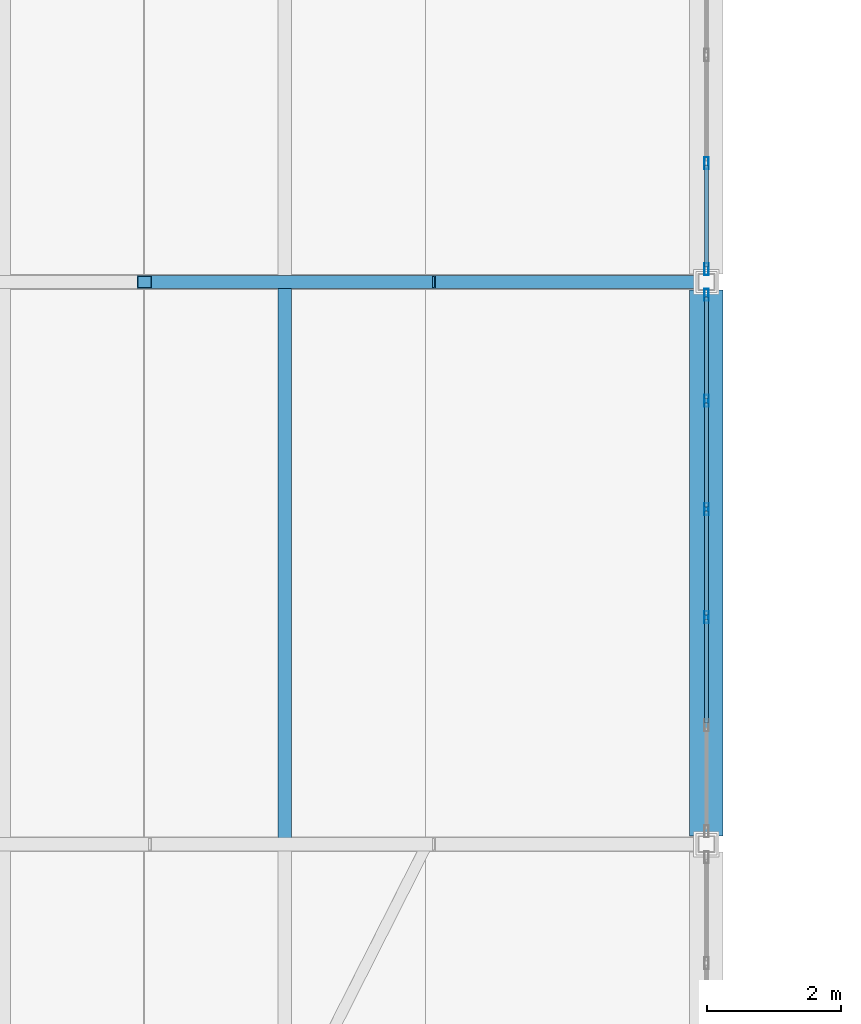
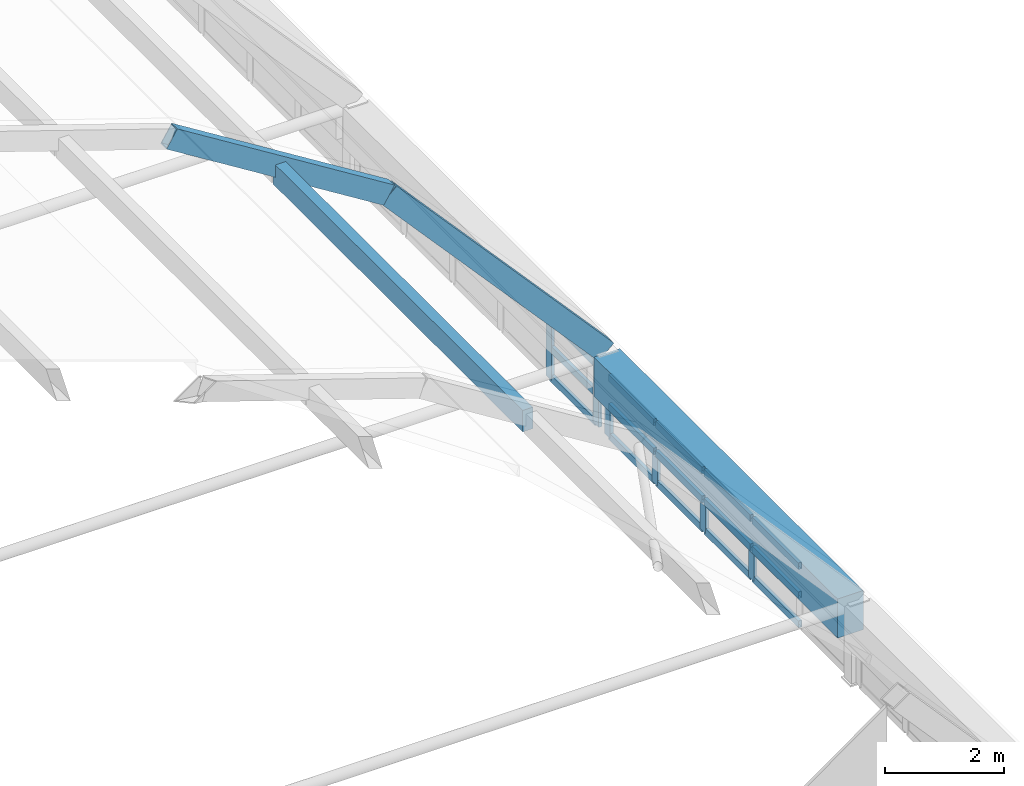
# One storey, part 22 of 114: 22 members, 3 beams, 2 elements without a shape of their own.
"""IFC4 building model written with IfcOpenShell, lengths in metres."""

import ifcopenshell
import ifcopenshell.guid

model = None  # the IFC model being written
_history = None  # IfcOwnerHistory: only IFC2X3 demands one
_inside = {}  # id of a spatial element -> (the spatial element, [elements in it])
_under = {}  # id of a project, library or spatial element -> (it, [spatial elements below it])
_declared = {}  # id of a project -> (the project, [libraries it declares])
_typed = {}  # id of a type object -> (the type object, [elements of that type])
_made_of = {}  # id of a material, layer set ... -> (it, [elements and type objects made of it])


def new_model(schema):
    """Start an empty IFC model of exactly this schema.

    Asked for "IFC4X3", IfcOpenShell would pick the latest addendum, in which some entities
    have other attributes; the version numbers below select the first issue.
    IFC2X3 requires an IfcOwnerHistory on every rooted entity: one is made here for all.
    """
    global model, _history
    if schema == "IFC4X3":
        model = ifcopenshell.file(schema_version=(4, 3, 0, 0))
    else:
        model = ifcopenshell.file(schema=schema)
    _inside.clear()
    _under.clear()
    _declared.clear()
    _typed.clear()
    _made_of.clear()
    _history = None
    if model.schema == "IFC2X3":
        org = make("IfcOrganization", Name="unknown")
        user = make(
            "IfcPersonAndOrganization",
            ThePerson=make("IfcPerson", FamilyName="unknown"),
            TheOrganization=org,
        )
        app = make(
            "IfcApplication",
            ApplicationDeveloper=org,
            Version="unknown",
            ApplicationFullName="unknown",
            ApplicationIdentifier="unknown",
        )
        _history = make(
            "IfcOwnerHistory",
            OwningUser=user,
            OwningApplication=app,
            ChangeAction="ADDED",
            CreationDate=0,
        )
    return model


def make(cls, **values):
    """One entity of the class cls with the attributes given. An attribute that is None is left unset."""
    return model.create_entity(
        cls, **{name: value for name, value in values.items() if value is not None}
    )


def rooted(cls, **values):
    """An entity with a GlobalId (a new one), such as an element, a storey or a relation."""
    return make(cls, GlobalId=ifcopenshell.guid.new(), OwnerHistory=_history, **values)


def si_unit(unit_type, name, prefix=None):
    """IfcSIUnit, for example si_unit("LENGTHUNIT", "METRE", prefix="MILLI")."""
    return make("IfcSIUnit", UnitType=unit_type, Prefix=prefix, Name=name)


def assignment(units):
    """IfcUnitAssignment: the units of a project."""
    return None if units is None else make("IfcUnitAssignment", Units=units)


def point(xyz):
    """IfcCartesianPoint."""
    return None if xyz is None else make("IfcCartesianPoint", Coordinates=xyz)


def direction(xyz):
    """IfcDirection."""
    return None if xyz is None else make("IfcDirection", DirectionRatios=xyz)


def frame(location, z_axis=None, x_axis=None):
    """IfcAxis2Placement3D, a coordinate frame: its origin and axes. An axis left out is left unset."""
    return make(
        "IfcAxis2Placement3D",
        Location=point(location),
        Axis=direction(z_axis),
        RefDirection=direction(x_axis),
    )


def frame_2d(location, x_axis=None):
    """IfcAxis2Placement2D, a coordinate frame in the plane: its origin and x axis."""
    return make(
        "IfcAxis2Placement2D", Location=point(location), RefDirection=direction(x_axis)
    )


def origin():
    """The frame at (0, 0, 0) with its axes left unset."""
    return frame((0.0, 0.0, 0.0))


def origin_2d():
    """The frame at (0, 0) in the plane with its x axis left unset."""
    return frame_2d((0.0, 0.0))


def place(relative_to, where):
    """IfcLocalPlacement: puts the frame where relative to a parent placement (None: the world)."""
    return make(
        "IfcLocalPlacement", PlacementRelTo=relative_to, RelativePlacement=where
    )


def context(
    kind, dimensions, precision=None, world=None, true_north=None, identifier=None
):
    """IfcGeometricRepresentationContext, for example the 3D "Model" context."""
    return make(
        "IfcGeometricRepresentationContext",
        ContextIdentifier=identifier,
        ContextType=kind,
        CoordinateSpaceDimension=dimensions,
        Precision=precision,
        WorldCoordinateSystem=world,
        TrueNorth=true_north,
    )


def subcontext(parent, identifier, kind, view, scale=None):
    """IfcGeometricRepresentationSubContext, for example "Body" below "Model"."""
    return make(
        "IfcGeometricRepresentationSubContext",
        ContextIdentifier=identifier,
        ContextType=kind,
        ParentContext=parent,
        TargetScale=scale,
        TargetView=view,
    )


def project(units=None, contexts=None):
    """IfcProject with its units and contexts."""
    return rooted(
        "IfcProject",
        Name="project",
        RepresentationContexts=contexts,
        UnitsInContext=assignment(units),
    )


def spatial(cls, under=None, at=None, **own):
    """A site, building, storey or space (cls), placed at a placement, below another one or the project."""
    s = rooted(cls, ObjectPlacement=at, **own)
    if under is not None:
        _under.setdefault(under.id(), (under, []))[1].append(s)
    return s


def profile(cls, at=None, kind="AREA", **sizes):
    """A parametric profile (cls). Its sizes go by their IFC names, for example OverallWidth=200.0."""
    return make(cls, ProfileType=kind, Position=at, **sizes)


def rectangle(**sizes):
    """IfcRectangleProfileDef."""
    return profile("IfcRectangleProfileDef", **sizes)


def hollow_rectangle(**sizes):
    """IfcRectangleHollowProfileDef."""
    return profile("IfcRectangleHollowProfileDef", **sizes)


def extrude(swept, where, along, depth):
    """IfcExtrudedAreaSolid: the profile swept, set in the frame where, extruded along a direction by depth."""
    return make(
        "IfcExtrudedAreaSolid",
        SweptArea=swept,
        Position=where,
        ExtrudedDirection=direction(along),
        Depth=depth,
    )


def shape(context_of_items, identifier, shape_type, items):
    """IfcShapeRepresentation: the items that make up one representation, for example the "Body"."""
    return make(
        "IfcShapeRepresentation",
        ContextOfItems=context_of_items,
        RepresentationIdentifier=identifier,
        RepresentationType=shape_type,
        Items=items,
    )


def material(Name=None, Category=None):
    """IfcMaterial."""
    return make("IfcMaterial", Name=Name, Category=Category)


def layer(
    of_material, thickness, ventilated=None, Name=None, Category=None, Priority=None
):
    """IfcMaterialLayer: one layer of a wall or slab, of a material (None: an air gap)."""
    return make(
        "IfcMaterialLayer",
        Material=of_material,
        LayerThickness=thickness,
        IsVentilated=ventilated,
        Name=Name,
        Category=Category,
        Priority=Priority,
    )


def layer_set(layers, Name=None):
    """IfcMaterialLayerSet."""
    return make("IfcMaterialLayerSet", MaterialLayers=layers, LayerSetName=Name)


def material_profile(
    of_material, cross_section, Name=None, Category=None, Priority=None
):
    """IfcMaterialProfile: a cross section and its material."""
    return make(
        "IfcMaterialProfile",
        Name=Name,
        Material=of_material,
        Profile=cross_section,
        Priority=Priority,
        Category=Category,
    )


def profile_set(profiles, Name=None, composite=None):
    """IfcMaterialProfileSet."""
    return make(
        "IfcMaterialProfileSet",
        Name=Name,
        MaterialProfiles=profiles,
        CompositeProfile=composite,
    )


def made_of(thing, what):
    """Note that an element or type object is made of a material, layer set ...; save() writes the relation."""
    if what is not None:
        _made_of.setdefault(what.id(), (what, []))[1].append(thing)
    return thing


def type_object(cls, material=None, **own):
    """A type object (cls), such as IfcWallType, which elements share."""
    return made_of(rooted(cls, **own), material)


def element(
    cls,
    number,
    at=None,
    inside=None,
    cuts=None,
    type_object=None,
    material=None,
    context=None,
    identifier="Body",
    shape_type=None,
    held_by="IfcProductDefinitionShape",
    body=None,
    shapes=None,
    **own,
):
    """One element of the class cls, such as IfcWall. Its Tag is "e" and its number.

    at: its placement. inside: the storey or other place that contains it. cuts: it is an
    opening in that element (IfcRelVoidsElement). A single representation is given by context,
    identifier, shape_type and body (its items); several are given by shapes. held_by: the class
    of the entity that holds the representations. save() writes the other relations.
    """
    e = rooted(cls, Tag="e%d" % number, ObjectPlacement=at, **own)
    if body is not None:
        shapes = [shape(context, identifier, shape_type, body)]
    if shapes is not None:
        e.Representation = make(held_by, Representations=shapes)
    if inside is not None:
        _inside.setdefault(inside.id(), (inside, []))[1].append(e)
    if cuts is not None:
        rooted(
            "IfcRelVoidsElement", RelatingBuildingElement=cuts, RelatedOpeningElement=e
        )
    if type_object is not None:
        _typed.setdefault(type_object.id(), (type_object, []))[1].append(e)
    return made_of(e, material)


def aggregate(whole, parts):
    """IfcRelAggregates: a whole, such as a stair, and the parts it consists of."""
    return rooted("IfcRelAggregates", RelatingObject=whole, RelatedObjects=parts)


def save(model, path):
    """Write the relations noted so far, then the file.

    IfcRelAggregates (storeys below a building ...), IfcRelContainedInSpatialStructure (elements
    in a storey), IfcRelDefinesByType, IfcRelAssociatesMaterial and IfcRelDeclares: one each for
    every whole, place, type object, material and project.
    """
    for whole, parts in _under.values():
        aggregate(whole, parts)
    for where, things in _inside.values():
        rooted(
            "IfcRelContainedInSpatialStructure",
            RelatedElements=things,
            RelatingStructure=where,
        )
    for kind, things in _typed.values():
        rooted("IfcRelDefinesByType", RelatedObjects=things, RelatingType=kind)
    for what, things in _made_of.values():
        rooted("IfcRelAssociatesMaterial", RelatedObjects=things, RelatingMaterial=what)
    for by, libraries in _declared.values():
        rooted("IfcRelDeclares", RelatingContext=by, RelatedDefinitions=libraries)
    model.write(path)


model = new_model("IFC4")

# Units and contexts
model_context = context("Model", 3, precision=1e-05, world=origin(), true_north=direction((0.0, 1.0)))
body_context = subcontext(model_context, "Body", "Model", "MODEL_VIEW")
ifc_project = project(units=[si_unit("LENGTHUNIT", "METRE"), si_unit("AREAUNIT", "SQUARE_METRE"), si_unit("VOLUMEUNIT", "CUBIC_METRE"), si_unit("PLANEANGLEUNIT", "RADIAN"), si_unit("MASSUNIT", "GRAM", prefix="KILO")], contexts=[model_context])

# Site, building, storey
site_placement = place(None, origin())
site = spatial("IfcSite", under=ifc_project, at=site_placement, CompositionType="ELEMENT")
building_placement = place(site_placement, origin())
building = spatial("IfcBuilding", under=site, at=building_placement, Name="Xazarin Passage Department Store", CompositionType="ELEMENT")
storey_placement = place(building_placement, frame((0.0, 0.0, 14.39990234375)))
storey = spatial("IfcBuildingStorey", under=building, at=storey_placement, Name="L03", CompositionType="ELEMENT", Elevation=14.39990234375)

# Curtain wall, members
ifc_material_1 = material(Name="Bronze anodised aluminium", Category="aluminium")
ifc_layer = layer(ifc_material_1, 0.159912109375)
ifc_layer_set = layer_set([ifc_layer], Name="Bronze anodised aluminium")
curtain_wall_type = type_object("IfcCurtainWallType", Name="ARC-CW-ARC1", PredefinedType="NOTDEFINED", material=ifc_layer_set)
curtain_wall_1_placement = place(storey_placement, origin())
curtain_wall_1 = element("IfcCurtainWall", 1, at=curtain_wall_1_placement, inside=storey, type_object=curtain_wall_type, Name="L03 V2S Galleria Clerestory Curtain Wall 2E", PredefinedType="NOTDEFINED")
ifc_material_profile_1 = material_profile(ifc_material_1, hollow_rectangle(XDim=0.06494140625, YDim=0.179931640625, WallThickness=0.00390625, at=origin_2d()), Name="ALU 65x180")
ifc_profile_set_1 = profile_set([ifc_material_profile_1], Name="Bronze anodised aluminium")
member_type_1 = type_object("IfcMemberType", Name="ARC-CWM-65x180", PredefinedType="MULLION", material=ifc_profile_set_1)
member_1_placement = place(storey_placement, frame((101.60009765625, 11.7919921875, 0.0), z_axis=(0.0, 0.0, 1.0), x_axis=(-1.0, 0.0, 0.0)))
member_1 = element("IfcMember", 2, at=member_1_placement, type_object=member_type_1, Name="CW3 mullion 3", PredefinedType="MULLION", context=body_context, shape_type="SweptSolid", body=[
    extrude(hollow_rectangle(XDim=0.06494140625, YDim=0.179931640625, WallThickness=0.00390625, at=origin_2d()), origin(), (0.0, 0.0, 1.0), 1.251708984375),
])
member_2_placement = place(storey_placement, frame((101.60009765625, 13.407958984375, 0.0), z_axis=(0.0, 0.0, 1.0), x_axis=(-1.0, 0.0, 0.0)))
member_2 = element("IfcMember", 3, at=member_2_placement, type_object=member_type_1, Name="CW3 mullion 4", PredefinedType="MULLION", context=body_context, shape_type="SweptSolid", body=[
    extrude(hollow_rectangle(XDim=0.06494140625, YDim=0.179931640625, WallThickness=0.00390625, at=origin_2d()), origin(), (0.0, 0.0, 1.0), 1.251708984375),
])
member_3_placement = place(storey_placement, frame((101.60009765625, 15.02392578125, 0.0), z_axis=(0.0, 0.0, 1.0), x_axis=(-1.0, 0.0, 0.0)))
member_3 = element("IfcMember", 4, at=member_3_placement, type_object=member_type_1, Name="CW3 mullion 5", PredefinedType="MULLION", context=body_context, shape_type="SweptSolid", body=[
    extrude(hollow_rectangle(XDim=0.06494140625, YDim=0.179931640625, WallThickness=0.00390625, at=origin_2d()), origin(), (0.0, 0.0, 1.0), 1.251708984375),
])
member_4_placement = place(storey_placement, frame((101.60009765625, 16.607421875, 0.0), z_axis=(0.0, 0.0, 1.0), x_axis=(-1.0, 0.0, 0.0)))
member_4 = element("IfcMember", 5, at=member_4_placement, type_object=member_type_1, Name="CW3 mullion 6", PredefinedType="MULLION", context=body_context, shape_type="SweptSolid", body=[
    extrude(hollow_rectangle(XDim=0.06494140625, YDim=0.179931640625, WallThickness=0.00390625, at=origin_2d()), origin(), (0.0, 0.0, 1.0), 1.251708984375),
])

curtain_wall_2_placement = place(storey_placement, origin())
curtain_wall_2 = element("IfcCurtainWall", 6, at=curtain_wall_2_placement, inside=storey, type_object=curtain_wall_type, Name="L03 V2S Galleria Clerestory Curtain Wall 3E", PredefinedType="NOTDEFINED")
member_5_placement = place(storey_placement, frame((101.60009765625, 16.992431640625, 0.0), z_axis=(0.0, 0.0, 1.0), x_axis=(-1.0, 0.0, 0.0)))
member_5 = element("IfcMember", 7, at=member_5_placement, type_object=member_type_1, Name="CW3 mullion 1", PredefinedType="MULLION", context=body_context, shape_type="SweptSolid", body=[
    extrude(hollow_rectangle(XDim=0.06494140625, YDim=0.179931640625, WallThickness=0.00390625, at=origin_2d()), origin(), (0.0, 0.0, 1.0), 1.251708984375),
])
member_6_placement = place(storey_placement, frame((101.60009765625, 18.575927734375, 0.0), z_axis=(0.0, 0.0, 1.0), x_axis=(-1.0, 0.0, 0.0)))
member_6 = element("IfcMember", 8, at=member_6_placement, type_object=member_type_1, Name="CW3 mullion 2", PredefinedType="MULLION", context=body_context, shape_type="SweptSolid", body=[
    extrude(hollow_rectangle(XDim=0.06494140625, YDim=0.179931640625, WallThickness=0.00390625, at=origin_2d()), origin(), (0.0, 0.0, 1.0), 1.251708984375),
])

# Member
ifc_material_profile_2 = material_profile(ifc_material_1, hollow_rectangle(XDim=0.06494140625, YDim=0.139892578125, WallThickness=0.00390625, at=origin_2d()), Name="ALU 65x140")
ifc_profile_set_2 = profile_set([ifc_material_profile_2], Name="Bronze anodised aluminium")
member_type_2 = type_object("IfcMemberType", Name="ARC-CWT-65x140", PredefinedType="USERDEFINED", material=ifc_profile_set_2)
member_7_placement = place(storey_placement, frame((101.60009765625, 10.20849609375, 0.03271484375), z_axis=(0.0, 1.0, 0.0), x_axis=(-1.0, 0.0, 0.0)))
member_7 = element("IfcMember", 9, at=member_7_placement, type_object=member_type_2, Name="CW3 transom 2.1", ObjectType="TRANSOM", PredefinedType="USERDEFINED", context=body_context, shape_type="SweptSolid", body=[
    extrude(hollow_rectangle(XDim=0.06494140625, YDim=0.139892578125, WallThickness=0.00390625, at=origin_2d()), origin(), (0.0, 0.0, 1.0), 1.551025390625),
])

member_8_placement = place(storey_placement, frame((101.60009765625, 10.20849609375, 0.6259765625), z_axis=(0.0, 1.0, 0.0), x_axis=(-1.0, 0.0, 0.0)))
member_8 = element("IfcMember", 10, at=member_8_placement, type_object=member_type_2, Name="CW3 transom 2.2", ObjectType="TRANSOM", PredefinedType="USERDEFINED", context=body_context, shape_type="SweptSolid", body=[
    extrude(hollow_rectangle(XDim=0.06494140625, YDim=0.139892578125, WallThickness=0.00390625, at=origin_2d()), origin(), (0.0, 0.0, 1.0), 1.551025390625),
])

member_9_placement = place(storey_placement, frame((101.60009765625, 10.20849609375, 1.21923828125), z_axis=(0.0, 1.0, 0.0), x_axis=(-1.0, 0.0, 0.0)))
member_9 = element("IfcMember", 11, at=member_9_placement, type_object=member_type_2, Name="CW3 transom 2.3", ObjectType="TRANSOM", PredefinedType="USERDEFINED", context=body_context, shape_type="SweptSolid", body=[
    extrude(hollow_rectangle(XDim=0.06494140625, YDim=0.139892578125, WallThickness=0.00390625, at=origin_2d()), origin(), (0.0, 0.0, 1.0), 1.551025390625),
])

member_10_placement = place(storey_placement, frame((101.60009765625, 11.824462890625, 0.03271484375), z_axis=(0.0, 1.0, 0.0), x_axis=(-1.0, 0.0, 0.0)))
member_10 = element("IfcMember", 12, at=member_10_placement, type_object=member_type_2, Name="CW3 transom 3.1", ObjectType="TRANSOM", PredefinedType="USERDEFINED", context=body_context, shape_type="SweptSolid", body=[
    extrude(hollow_rectangle(XDim=0.06494140625, YDim=0.139892578125, WallThickness=0.00390625, at=origin_2d()), origin(), (0.0, 0.0, 1.0), 1.551025390625),
])

member_11_placement = place(storey_placement, frame((101.60009765625, 11.824462890625, 0.6259765625), z_axis=(0.0, 1.0, 0.0), x_axis=(-1.0, 0.0, 0.0)))
member_11 = element("IfcMember", 13, at=member_11_placement, type_object=member_type_2, Name="CW3 transom 3.2", ObjectType="TRANSOM", PredefinedType="USERDEFINED", context=body_context, shape_type="SweptSolid", body=[
    extrude(hollow_rectangle(XDim=0.06494140625, YDim=0.139892578125, WallThickness=0.00390625, at=origin_2d()), origin(), (0.0, 0.0, 1.0), 1.551025390625),
])

member_12_placement = place(storey_placement, frame((101.60009765625, 11.824462890625, 1.21923828125), z_axis=(0.0, 1.0, 0.0), x_axis=(-1.0, 0.0, 0.0)))
member_12 = element("IfcMember", 14, at=member_12_placement, type_object=member_type_2, Name="CW3 transom 3.3", ObjectType="TRANSOM", PredefinedType="USERDEFINED", context=body_context, shape_type="SweptSolid", body=[
    extrude(hollow_rectangle(XDim=0.06494140625, YDim=0.139892578125, WallThickness=0.00390625, at=origin_2d()), origin(), (0.0, 0.0, 1.0), 1.551025390625),
])

member_13_placement = place(storey_placement, frame((101.60009765625, 13.4404296875, 0.03271484375), z_axis=(0.0, 1.0, 0.0), x_axis=(-1.0, 0.0, 0.0)))
member_13 = element("IfcMember", 15, at=member_13_placement, type_object=member_type_2, Name="CW3 transom 4.1", ObjectType="TRANSOM", PredefinedType="USERDEFINED", context=body_context, shape_type="SweptSolid", body=[
    extrude(hollow_rectangle(XDim=0.06494140625, YDim=0.139892578125, WallThickness=0.00390625, at=origin_2d()), origin(), (0.0, 0.0, 1.0), 1.551025390625),
])

member_14_placement = place(storey_placement, frame((101.60009765625, 13.4404296875, 0.6259765625), z_axis=(0.0, 1.0, 0.0), x_axis=(-1.0, 0.0, 0.0)))
member_14 = element("IfcMember", 16, at=member_14_placement, type_object=member_type_2, Name="CW3 transom 4.2", ObjectType="TRANSOM", PredefinedType="USERDEFINED", context=body_context, shape_type="SweptSolid", body=[
    extrude(hollow_rectangle(XDim=0.06494140625, YDim=0.139892578125, WallThickness=0.00390625, at=origin_2d()), origin(), (0.0, 0.0, 1.0), 1.551025390625),
])

member_15_placement = place(storey_placement, frame((101.60009765625, 13.4404296875, 1.21923828125), z_axis=(0.0, 1.0, 0.0), x_axis=(-1.0, 0.0, 0.0)))
member_15 = element("IfcMember", 17, at=member_15_placement, type_object=member_type_2, Name="CW3 transom 4.3", ObjectType="TRANSOM", PredefinedType="USERDEFINED", context=body_context, shape_type="SweptSolid", body=[
    extrude(hollow_rectangle(XDim=0.06494140625, YDim=0.139892578125, WallThickness=0.00390625, at=origin_2d()), origin(), (0.0, 0.0, 1.0), 1.551025390625),
])

member_16_placement = place(storey_placement, frame((101.60009765625, 15.056396484375, 0.03271484375), z_axis=(0.0, 1.0, 0.0), x_axis=(-1.0, 0.0, 0.0)))
member_16 = element("IfcMember", 18, at=member_16_placement, type_object=member_type_2, Name="CW3 transom 5.1", ObjectType="TRANSOM", PredefinedType="USERDEFINED", context=body_context, shape_type="SweptSolid", body=[
    extrude(hollow_rectangle(XDim=0.06494140625, YDim=0.139892578125, WallThickness=0.00390625, at=origin_2d()), origin(), (0.0, 0.0, 1.0), 1.5185546875),
])

member_17_placement = place(storey_placement, frame((101.60009765625, 15.056396484375, 0.6259765625), z_axis=(0.0, 1.0, 0.0), x_axis=(-1.0, 0.0, 0.0)))
member_17 = element("IfcMember", 19, at=member_17_placement, type_object=member_type_2, Name="CW3 transom 5.2", ObjectType="TRANSOM", PredefinedType="USERDEFINED", context=body_context, shape_type="SweptSolid", body=[
    extrude(hollow_rectangle(XDim=0.06494140625, YDim=0.139892578125, WallThickness=0.00390625, at=origin_2d()), origin(), (0.0, 0.0, 1.0), 1.5185546875),
])

member_18_placement = place(storey_placement, frame((101.60009765625, 15.056396484375, 1.21923828125), z_axis=(0.0, 1.0, 0.0), x_axis=(-1.0, 0.0, 0.0)))
member_18 = element("IfcMember", 20, at=member_18_placement, type_object=member_type_2, Name="CW3 transom 5.3", ObjectType="TRANSOM", PredefinedType="USERDEFINED", context=body_context, shape_type="SweptSolid", body=[
    extrude(hollow_rectangle(XDim=0.06494140625, YDim=0.139892578125, WallThickness=0.00390625, at=origin_2d()), origin(), (0.0, 0.0, 1.0), 1.5185546875),
])

aggregate(curtain_wall_1, [member_1, member_2, member_3, member_4, member_7, member_8, member_9, member_10, member_11, member_12, member_13, member_14, member_15, member_16, member_17, member_18])

member_19_placement = place(storey_placement, frame((101.60009765625, 17.02490234375, 0.03271484375), z_axis=(0.0, 1.0, 0.0), x_axis=(-1.0, 0.0, 0.0)))
member_19 = element("IfcMember", 21, at=member_19_placement, type_object=member_type_2, Name="CW3 transom 1.1", ObjectType="TRANSOM", PredefinedType="USERDEFINED", context=body_context, shape_type="SweptSolid", body=[
    extrude(hollow_rectangle(XDim=0.06494140625, YDim=0.139892578125, WallThickness=0.00390625, at=origin_2d()), origin(), (0.0, 0.0, 1.0), 1.5185546875),
])

member_20_placement = place(storey_placement, frame((101.60009765625, 17.02490234375, 0.6259765625), z_axis=(0.0, 1.0, 0.0), x_axis=(-1.0, 0.0, 0.0)))
member_20 = element("IfcMember", 22, at=member_20_placement, type_object=member_type_2, Name="CW3 transom 1.2", ObjectType="TRANSOM", PredefinedType="USERDEFINED", context=body_context, shape_type="SweptSolid", body=[
    extrude(hollow_rectangle(XDim=0.06494140625, YDim=0.139892578125, WallThickness=0.00390625, at=origin_2d()), origin(), (0.0, 0.0, 1.0), 1.5185546875),
])

member_21_placement = place(storey_placement, frame((101.60009765625, 17.02490234375, 1.21923828125), z_axis=(0.0, 1.0, 0.0), x_axis=(-1.0, 0.0, 0.0)))
member_21 = element("IfcMember", 23, at=member_21_placement, type_object=member_type_2, Name="CW3 transom 1.3", ObjectType="TRANSOM", PredefinedType="USERDEFINED", context=body_context, shape_type="SweptSolid", body=[
    extrude(hollow_rectangle(XDim=0.06494140625, YDim=0.139892578125, WallThickness=0.00390625, at=origin_2d()), origin(), (0.0, 0.0, 1.0), 1.5185546875),
])

aggregate(curtain_wall_2, [member_5, member_6, member_19, member_20, member_21])

# Beams
ifc_material_2 = material(Name="Steel S355", Category="steel")
ifc_material_profile_3 = material_profile(ifc_material_2, hollow_rectangle(XDim=0.199951171875, YDim=0.39990234375, WallThickness=0.01611328125, at=origin_2d()), Name="RHS 400x200x16")
ifc_profile_set_3 = profile_set([ifc_material_profile_3], Name="Steel S355")
beam_type_1 = type_object("IfcBeamType", Name="STR-BM-AR400", PredefinedType="BEAM", material=ifc_profile_set_3)
beam_1_placement = place(storey_placement, frame((93.199951171875, 16.800048828125, 8.95068359375), z_axis=(0.848571440894, 0.0, -0.529080815848), x_axis=(0.0, 1.0, 0.0)))
element("IfcBeam", 24, at=beam_1_placement, inside=storey, type_object=beam_type_1, Name="V2S Primary Arch Rib 3.7", PredefinedType="BEAM", context=body_context, shape_type="SweptSolid", body=[
    extrude(hollow_rectangle(XDim=0.199951171875, YDim=0.39990234375, WallThickness=0.01611328125, at=origin_2d()), origin(), (0.0, 0.0, 1.0), 4.949462890625),
])
beam_2_placement = place(storey_placement, frame((97.39990234375, 16.800048828125, 6.33203125), z_axis=(0.667913050078, 0.0, -0.744239314694), x_axis=(0.0, 1.0, 0.0)))
element("IfcBeam", 25, at=beam_2_placement, inside=storey, type_object=beam_type_1, Name="V2S Primary Arch Rib 3.8", PredefinedType="BEAM", context=body_context, shape_type="SweptSolid", body=[
    extrude(hollow_rectangle(XDim=0.199951171875, YDim=0.39990234375, WallThickness=0.01611328125, at=origin_2d()), origin(), (0.0, 0.0, 1.0), 6.28857421875),
])
ifc_material_3 = material(Name="Concrete C40/50", Category="concrete")
ifc_material_profile_4 = material_profile(ifc_material_3, rectangle(XDim=0.5, YDim=0.800048828125, at=origin_2d()), Name="RC 500x800")
ifc_profile_set_4 = profile_set([ifc_material_profile_4], Name="Concrete C40/50")
beam_type_2 = type_object("IfcBeamType", Name="STR-BM-RG500x800", PredefinedType="BEAM", material=ifc_profile_set_4)
beam_3_placement = place(storey_placement, frame((101.60009765625, 8.52001953125, 1.251708984375), z_axis=(0.0, 1.0, 0.0), x_axis=(-1.0, 0.0, 0.0)))
element("IfcBeam", 26, at=beam_3_placement, inside=storey, type_object=beam_type_2, Name="V2S Springing Ring Girder E-2", PredefinedType="BEAM", context=body_context, shape_type="SweptSolid", body=[
    extrude(rectangle(XDim=0.5, YDim=0.800048828125, at=origin_2d()), origin(), (0.0, 0.0, 1.0), 8.159912109375),
])

# Member
ifc_material_4 = material(Name="Glulam GL28h", Category="wood")
ifc_material_profile_5 = material_profile(ifc_material_4, rectangle(XDim=0.199951171875, YDim=0.43994140625, at=origin_2d()), Name="GL28h 200x440")
ifc_profile_set_5 = profile_set([ifc_material_profile_5], Name="Glulam GL28h")
member_type_3 = type_object("IfcMemberType", Name="STR-MEM-GL440", PredefinedType="PURLIN", material=ifc_profile_set_5)
member_22_placement = place(storey_placement, frame((95.300048828125, 8.419921875, 7.501220703125), z_axis=(0.0, 1.0, 0.0), x_axis=(-1.0, 0.0, 0.0)))
element("IfcMember", 27, at=member_22_placement, inside=storey, type_object=member_type_3, Name="V2S Glulam Gridshell Purlin 2.7", PredefinedType="PURLIN", context=body_context, shape_type="SweptSolid", body=[
    extrude(rectangle(XDim=0.199951171875, YDim=0.43994140625, at=origin_2d()), origin(), (0.0, 0.0, 1.0), 8.360107421875),
])

save(model, "model.ifc")
